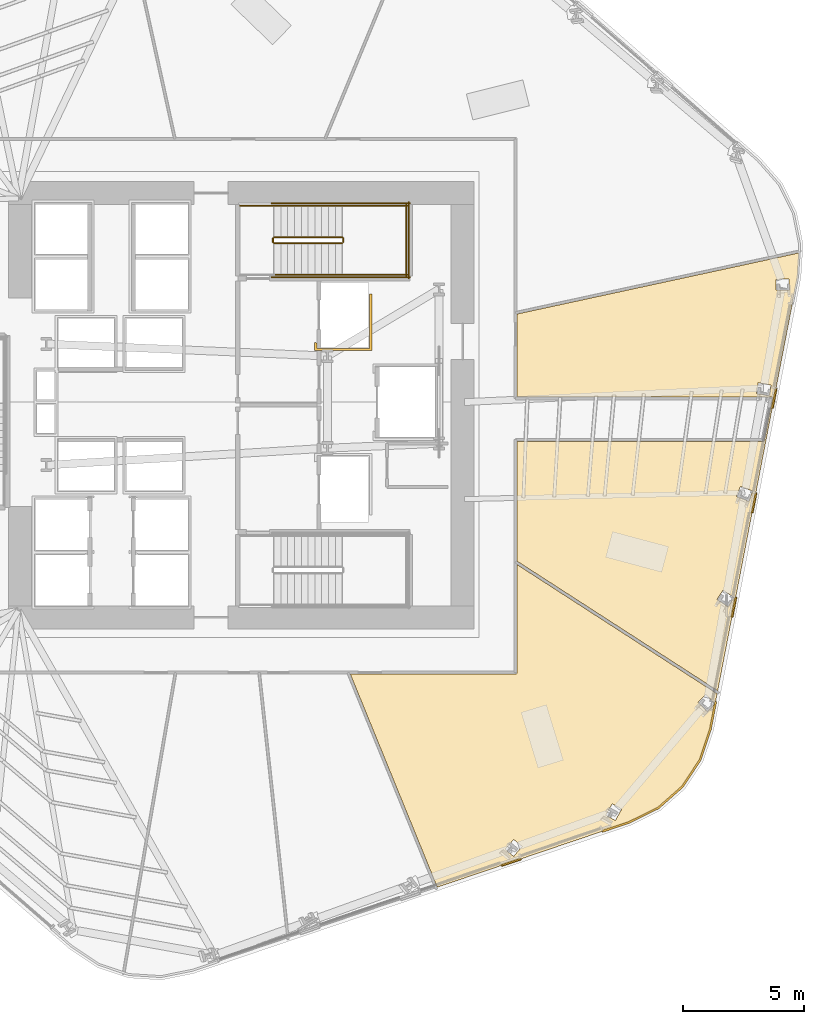
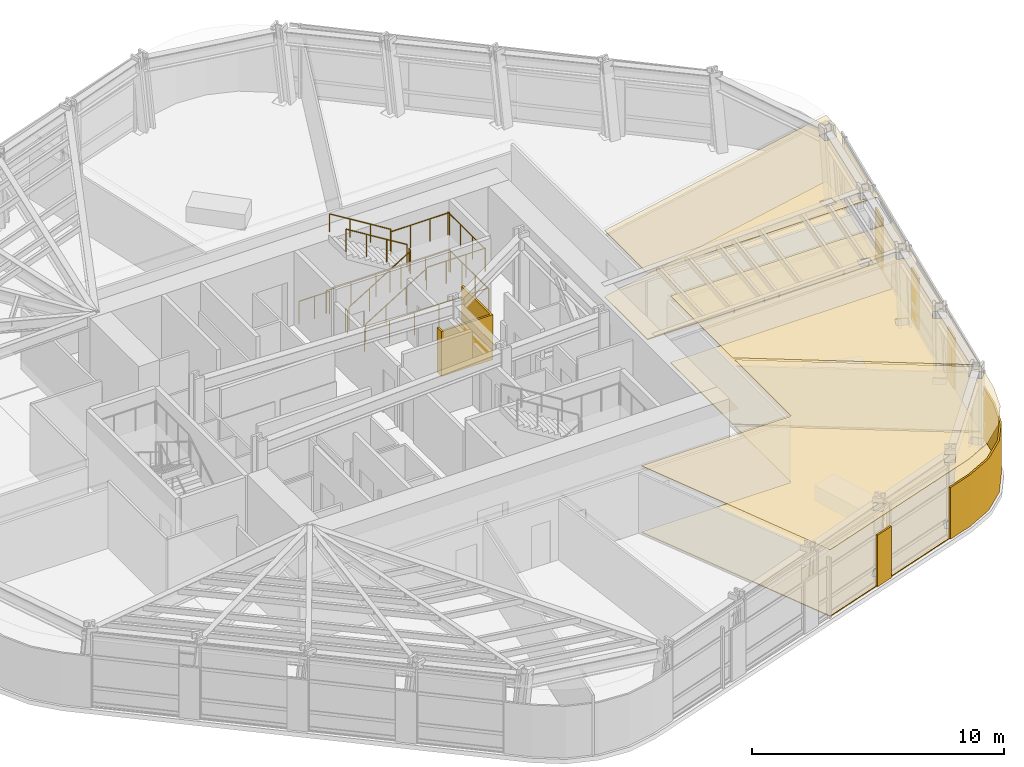
# One storey, part 14 of 16: 13 railings, 10 coverings.
"""IFC4 building model written with IfcOpenShell, lengths in metres."""

from ifc_helpers import new_model, si_unit, direction, frame, origin, origin_2d, place, context, subcontext, project, spatial, polyline, circle, outline, extrude, material, layer, layer_set, type_object, element, save


model = new_model("IFC4")

# Units and contexts
model_context = context("Model", 3, precision=1e-05, world=origin(), true_north=direction((0.0, 1.0)))
body_context = subcontext(model_context, "Body", "Model", "MODEL_VIEW")
ifc_project = project(units=[si_unit("LENGTHUNIT", "METRE"), si_unit("AREAUNIT", "SQUARE_METRE"), si_unit("VOLUMEUNIT", "CUBIC_METRE"), si_unit("PLANEANGLEUNIT", "RADIAN"), si_unit("MASSUNIT", "GRAM", prefix="KILO")], contexts=[model_context])

# Site, building, storey
site_placement = place(None, origin())
site = spatial("IfcSite", under=ifc_project, at=site_placement, CompositionType="ELEMENT")
building_placement = place(site_placement, origin())
building = spatial("IfcBuilding", under=site, at=building_placement, Name="Valkerne Bourse Tower", CompositionType="ELEMENT")
storey_placement = place(building_placement, frame((0.0, 0.0, 104.800048828125)))
storey = spatial("IfcBuildingStorey", under=building, at=storey_placement, Name="L26", CompositionType="ELEMENT", Elevation=104.800048828125)

# Coverings
ifc_material_1 = material(Name="Mineral Fiber Acoustic Ceiling Tile", Category="acoustic")
ifc_layer_1 = layer(ifc_material_1, 0.02490234375)
ifc_layer_set_1 = layer_set([ifc_layer_1], Name="Mineral Fiber Acoustic Ceiling Tile")
covering_type_1 = type_object("IfcCoveringType", Name="COV-CEIL-ACT", PredefinedType="CEILING", material=ifc_layer_set_1)
covering_1_placement = place(storey_placement, frame((0.0, 0.0, 3.22998046875)))
element("IfcCovering", 1, at=covering_1_placement, inside=storey, type_object=covering_type_1, Name="L26 Suspended Ceiling 05", PredefinedType="CEILING", context=body_context, shape_type="SweptSolid", body=[
    extrude(outline(polyline([(63.986328125, 10.271240234375), (62.796142578125, 9.680419921875), (54.875732421875, 6.996826171875), (51.291015625, 15.781005859375), (58.1005859375, 15.781005859375), (58.135986328125, 15.791015625), (58.15966796875, 15.81494140625), (58.1689453125, 15.849609375), (58.1689453125, 20.299072265625), (66.4140625, 14.973388671875), (66.130126953125, 13.50244140625), (65.706298828125, 12.242919921875), (64.97607421875, 11.143798828125), (63.986328125, 10.271240234375)]), holes=[polyline([(58.026123046875, 8.2685546875), (58.370849609375, 8.680419921875), (58.026611328125, 8.9697265625), (58.02392578125, 8.96826171875), (57.67919921875, 8.556396484375), (58.023681640625, 8.266845703125), (58.026123046875, 8.2685546875)]), polyline([(62.21923828125, 9.750244140625), (62.480224609375, 10.21923828125), (62.087890625, 10.439208984375), (62.08544921875, 10.436767578125), (61.82421875, 9.968017578125), (62.216796875, 9.748046875), (62.21923828125, 9.750244140625)]), polyline([(66.32421875, 14.568115234375), (65.938232421875, 14.9443359375), (65.625, 14.623779296875), (65.623046875, 14.62109375), (66.009033203125, 14.2451171875), (66.322265625, 14.5654296875), (66.32421875, 14.568115234375)])]), origin(), (0.0, 0.0, 1.0), 0.02490234375),
])
covering_2_placement = place(storey_placement, frame((0.0, 0.0, 3.22998046875)))
element("IfcCovering", 2, at=covering_2_placement, inside=storey, type_object=covering_type_1, Name="L26 Suspended Ceiling 07", PredefinedType="CEILING", context=body_context, shape_type="SweptSolid", body=[
    extrude(outline(polyline([(58.1689453125, 20.439453125), (58.1689453125, 25.381103515625), (68.30712890625, 25.3818359375), (68.34326171875, 25.3994140625), (68.364013671875, 25.436279296875), (68.69189453125, 27.1376953125), (68.686279296875, 27.18017578125), (68.66015625, 27.208984375), (68.62451171875, 27.218994140625), (68.561279296875, 27.21533203125), (68.52685546875, 27.1875), (68.357177734375, 27.218994140625), (58.1689453125, 27.218994140625), (58.1689453125, 30.63330078125), (69.792724609375, 33.15234375), (69.73095703125, 32.170166015625), (66.43798828125, 15.098388671875), (58.1689453125, 20.439453125)]), holes=[polyline([(67.10888671875, 18.9462890625), (66.6591796875, 19.243408203125), (66.41162109375, 18.86962890625), (66.410400390625, 18.86669921875), (66.860107421875, 18.56982421875), (67.107666015625, 18.943603515625), (67.10888671875, 18.9462890625)]), polyline([(67.87939453125, 23.32861328125), (67.378662109375, 23.52783203125), (67.21240234375, 23.111572265625), (67.211669921875, 23.1083984375), (67.71240234375, 22.9091796875), (67.87890625, 23.325439453125), (67.87939453125, 23.32861328125)]), polyline([(68.635986328125, 27.702880859375), (68.635986328125, 27.705810546875), (68.105224609375, 27.79931640625), (68.027099609375, 27.35791015625), (68.027099609375, 27.354736328125), (68.5576171875, 27.261474609375), (68.635986328125, 27.702880859375)]), polyline([(69.38427734375, 32.068603515625), (69.383544921875, 32.072021484375), (68.8447265625, 32.063720703125), (68.850830078125, 31.61572265625), (68.8515625, 31.612548828125), (69.390380859375, 31.62060546875), (69.38427734375, 32.068603515625)])]), origin(), (0.0, 0.0, 1.0), 0.02490234375),
])
ifc_material_2 = material(Name="Bronze Anodised Aluminium AA 6063-T6", Category="aluminium")
ifc_layer_2 = layer(ifc_material_2, 0.06005859375)
ifc_layer_set_2 = layer_set([ifc_layer_2], Name="Bronze Anodised Aluminium AA 6063-T6")
covering_type_2 = type_object("IfcCoveringType", Name="COV-CRN-ALUM", PredefinedType="CLADDING", material=ifc_layer_set_2)
covering_3_placement = place(storey_placement, origin())
element("IfcCovering", 3, at=covering_3_placement, inside=storey, type_object=covering_type_2, Name="L26 Wind-Shaped Corner Aluminium Cladding 01", PredefinedType="CLADDING", context=body_context, shape_type="SweptSolid", body=[
    extrude(outline(polyline([(65.74609375, 12.223388671875), (65.009521484375, 11.11474609375), (64.010986328125, 10.234375), (62.81298828125, 9.6396484375), (61.695068359375, 9.260986328125), (61.669189453125, 9.336669921875), (62.7822265625, 9.713623046875), (63.966064453125, 10.301513671875), (64.94873046875, 11.167724609375), (65.673828125, 12.259033203125), (66.09521484375, 13.51171875), (66.31787109375, 14.66552734375), (66.396484375, 14.650146484375), (66.1728515625, 13.4912109375), (65.74609375, 12.223388671875)])), origin(), (0.0, 0.0, 1.0), 2.5),
])
covering_4_placement = place(storey_placement, origin())
element("IfcCovering", 4, at=covering_4_placement, inside=storey, type_object=covering_type_2, Name="L26 Wind-Shaped Corner Aluminium Cladding 02", PredefinedType="CLADDING", context=body_context, shape_type="SweptSolid", body=[
    extrude(outline(polyline([(57.5439453125, 7.8544921875), (57.51806640625, 7.93017578125), (58.313720703125, 8.19970703125), (58.339599609375, 8.123779296875), (57.5439453125, 7.8544921875)])), origin(), (0.0, 0.0, 1.0), 2.5),
])
covering_5_placement = place(storey_placement, origin())
element("IfcCovering", 5, at=covering_5_placement, inside=storey, type_object=covering_type_2, Name="L26 Wind-Shaped Corner Aluminium Cladding 22", PredefinedType="CLADDING", context=body_context, shape_type="SweptSolid", body=[
    extrude(outline(polyline([(68.727783203125, 26.736572265625), (68.649169921875, 26.751953125), (68.808349609375, 27.576904296875), (68.88671875, 27.561279296875), (68.727783203125, 26.736572265625)])), origin(), (0.0, 0.0, 1.0), 2.5),
])
covering_6_placement = place(storey_placement, origin())
element("IfcCovering", 6, at=covering_6_placement, inside=storey, type_object=covering_type_2, Name="L26 Wind-Shaped Corner Aluminium Cladding 23", PredefinedType="CLADDING", context=body_context, shape_type="SweptSolid", body=[
    extrude(outline(polyline([(67.897705078125, 22.432861328125), (67.819091796875, 22.4482421875), (67.978271484375, 23.273193359375), (68.056640625, 23.2578125), (67.897705078125, 22.432861328125)])), origin(), (0.0, 0.0, 1.0), 2.5),
])
covering_7_placement = place(storey_placement, origin())
element("IfcCovering", 7, at=covering_7_placement, inside=storey, type_object=covering_type_2, Name="L26 Wind-Shaped Corner Aluminium Cladding 24", PredefinedType="CLADDING", context=body_context, shape_type="SweptSolid", body=[
    extrude(outline(polyline([(67.0673828125, 18.129150390625), (66.989013671875, 18.14453125), (67.14794921875, 18.96923828125), (67.2265625, 18.953857421875), (67.0673828125, 18.129150390625)])), origin(), (0.0, 0.0, 1.0), 2.5),
])
ifc_material_3 = material(Name="Galvanised Painted Steel", Category="steel")
ifc_layer_3 = layer(ifc_material_3, 0.044921875)
ifc_layer_set_3 = layer_set([ifc_layer_3], Name="Galvanised Painted Steel")
covering_type_3 = type_object("IfcCoveringType", Name="COV-FLR-RAF", PredefinedType="FLOORING", material=ifc_layer_set_3)
covering_8_placement = place(storey_placement, origin())
element("IfcCovering", 8, at=covering_8_placement, inside=storey, type_object=covering_type_3, Name="L26 Floor Finish 05", PredefinedType="FLOORING", context=body_context, shape_type="SweptSolid", body=[
    extrude(outline(polyline([(63.986328125, 10.271240234375), (62.796142578125, 9.680419921875), (54.875732421875, 6.996826171875), (51.291015625, 15.781005859375), (58.1005859375, 15.781005859375), (58.135986328125, 15.791015625), (58.15966796875, 15.81494140625), (58.1689453125, 15.849609375), (58.1689453125, 20.299072265625), (66.4140625, 14.973388671875), (66.130126953125, 13.50244140625), (65.706298828125, 12.242919921875), (64.97607421875, 11.143798828125), (63.986328125, 10.271240234375)]), holes=[polyline([(58.026123046875, 8.2685546875), (58.370849609375, 8.680419921875), (58.026611328125, 8.9697265625), (58.02392578125, 8.96826171875), (57.67919921875, 8.556396484375), (58.023681640625, 8.266845703125), (58.026123046875, 8.2685546875)]), polyline([(62.21923828125, 9.750244140625), (62.480224609375, 10.21923828125), (62.087890625, 10.439208984375), (62.08544921875, 10.436767578125), (61.82421875, 9.968017578125), (62.216796875, 9.748046875), (62.21923828125, 9.750244140625)]), polyline([(66.32421875, 14.568115234375), (65.938232421875, 14.9443359375), (65.625, 14.623779296875), (65.623046875, 14.62109375), (66.009033203125, 14.2451171875), (66.322265625, 14.5654296875), (66.32421875, 14.568115234375)])]), origin(), (0.0, 0.0, 1.0), 0.044921875),
])
covering_9_placement = place(storey_placement, origin())
element("IfcCovering", 9, at=covering_9_placement, inside=storey, type_object=covering_type_3, Name="L26 Floor Finish 07", PredefinedType="FLOORING", context=body_context, shape_type="SweptSolid", body=[
    extrude(outline(polyline([(58.1689453125, 20.439453125), (58.1689453125, 25.381103515625), (68.30712890625, 25.3818359375), (68.34326171875, 25.3994140625), (68.364013671875, 25.436279296875), (68.69189453125, 27.1376953125), (68.686279296875, 27.18017578125), (68.66015625, 27.208984375), (68.62451171875, 27.218994140625), (68.561279296875, 27.21533203125), (68.52685546875, 27.1875), (68.357177734375, 27.218994140625), (58.1689453125, 27.218994140625), (58.1689453125, 30.63330078125), (69.792724609375, 33.15234375), (69.73095703125, 32.170166015625), (66.43798828125, 15.098388671875), (58.1689453125, 20.439453125)]), holes=[polyline([(67.10888671875, 18.9462890625), (66.6591796875, 19.243408203125), (66.41162109375, 18.86962890625), (66.410400390625, 18.86669921875), (66.860107421875, 18.56982421875), (67.107666015625, 18.943603515625), (67.10888671875, 18.9462890625)]), polyline([(67.87939453125, 23.32861328125), (67.378662109375, 23.52783203125), (67.21240234375, 23.111572265625), (67.211669921875, 23.1083984375), (67.71240234375, 22.9091796875), (67.87890625, 23.325439453125), (67.87939453125, 23.32861328125)]), polyline([(68.635986328125, 27.702880859375), (68.635986328125, 27.705810546875), (68.105224609375, 27.79931640625), (68.027099609375, 27.35791015625), (68.027099609375, 27.354736328125), (68.5576171875, 27.261474609375), (68.635986328125, 27.702880859375)]), polyline([(69.38427734375, 32.068603515625), (69.383544921875, 32.072021484375), (68.8447265625, 32.063720703125), (68.850830078125, 31.61572265625), (68.8515625, 31.612548828125), (69.390380859375, 31.62060546875), (69.38427734375, 32.068603515625)])]), origin(), (0.0, 0.0, 1.0), 0.044921875),
])
ifc_material_4 = material(Name="Gypsum Shaftwall Liner Board", Category="gypsum")
ifc_layer_4 = layer(ifc_material_4, 0.080078125)
ifc_layer_set_4 = layer_set([ifc_layer_4], Name="Gypsum Shaftwall Liner Board")
covering_type_4 = type_object("IfcCoveringType", Name="COV-SHF-CLAD", PredefinedType="CLADDING", material=ifc_layer_set_4)
covering_10_placement = place(storey_placement, origin())
element("IfcCovering", 10, at=covering_10_placement, inside=storey, type_object=covering_type_4, Name="L26 Hoistway & Riser Shaftwall Liner 10", PredefinedType="CLADDING", context=body_context, shape_type="SweptSolid", body=[
    extrude(outline(polyline([(49.820068359375, 29.1201171875), (49.820068359375, 29.468017578125), (49.827880859375, 29.46435546875), (49.869384765625, 29.449462890625), (49.909912109375, 29.439208984375), (49.909912109375, 29.2099609375), (52.090087890625, 29.2099609375), (52.090087890625, 31.449951171875), (52.179931640625, 31.449951171875), (52.179931640625, 29.1201171875), (49.820068359375, 29.1201171875)])), origin(), (0.0, 0.0, 1.0), 2.179931640625),
])

# Railings
railing_type_1 = type_object("IfcRailingType", Name="RLG-ST-GUARD-1120", PredefinedType="GUARDRAIL", material=ifc_material_3)
railing_1_placement = place(storey_placement, frame((48.14990234375, 33.550048828125, 0.172607421875)))
element("IfcRailing", 11, at=railing_1_placement, inside=storey, type_object=railing_type_1, Name="L26 ST-2 stair guard 1", PredefinedType="GUARDRAIL", context=body_context, shape_type="SweptSolid", body=[
    extrude(circle(Radius=0.02392578125, at=origin_2d()), frame((0.0, 0.0, 1.09619140625), z_axis=(0.851089632645, 0.0, 0.525020415988), x_axis=(0.0, 1.0, 0.0)), (0.0, 0.0, 1.0), 3.2900390625),
    extrude(circle(Radius=0.02099609375, at=origin_2d()), origin(), (0.0, 0.0, 1.0), 1.072021484375),
    extrude(circle(Radius=0.02099609375, at=origin_2d()), frame((0.933349609375, 0.0, 0.57568359375)), (0.0, 0.0, 1.0), 1.072021484375),
    extrude(circle(Radius=0.02099609375, at=origin_2d()), frame((1.86669921875, 0.0, 1.151611328125)), (0.0, 0.0, 1.0), 1.072021484375),
    extrude(circle(Radius=0.02099609375, at=origin_2d()), frame((2.800048828125, 0.0, 1.727294921875)), (0.0, 0.0, 1.0), 1.072021484375),
])
railing_2_placement = place(storey_placement, frame((51.0, 33.60009765625, 1.89990234375)))
element("IfcRailing", 12, at=railing_2_placement, inside=storey, type_object=railing_type_1, Name="L26 ST-2 stair guard 2", PredefinedType="GUARDRAIL", context=body_context, shape_type="SweptSolid", body=[
    extrude(circle(Radius=0.02392578125, at=origin_2d()), frame((0.0, 0.0, 1.09619140625), z_axis=(0.0, 1.0, 0.0), x_axis=(-1.0, 0.0, 0.0)), (0.0, 0.0, 1.0), 0.14990234375),
    extrude(circle(Radius=0.02099609375, at=origin_2d()), origin(), (0.0, 0.0, 1.0), 1.072021484375),
    extrude(circle(Radius=0.02099609375, at=origin_2d()), frame((0.0, 0.14990234375, 0.0)), (0.0, 0.0, 1.0), 1.072021484375),
])
for number, where, name in (
    (13, (50.949951171875, 32.25, 1.89990234375), "L26 ST-2 stair guard 3"),
    (14, (50.949951171875, 35.10009765625, 1.89990234375), "L26 ST-2 stair guard 4"),
):
    element("IfcRailing", number, at=place(storey_placement, frame(where)), inside=storey, type_object=railing_type_1, Name=name, PredefinedType="GUARDRAIL", context=body_context, shape_type="SweptSolid", body=[
        extrude(circle(Radius=0.02392578125, at=origin_2d()), frame((0.0, 0.0, 1.09619140625), z_axis=(1.0, 0.0, 0.0), x_axis=(0.0, 1.0, 0.0)), (0.0, 0.0, 1.0), 2.699951171875),
        extrude(circle(Radius=0.02099609375, at=origin_2d()), origin(), (0.0, 0.0, 1.0), 1.072021484375),
        extrude(circle(Radius=0.02099609375, at=origin_2d()), frame((0.89990234375, 0.0, 0.0)), (0.0, 0.0, 1.0), 1.072021484375),
        extrude(circle(Radius=0.02099609375, at=origin_2d()), frame((1.800048828125, 0.0, 0.0)), (0.0, 0.0, 1.0), 1.072021484375),
        extrude(circle(Radius=0.02099609375, at=origin_2d()), frame((2.699951171875, 0.0, 0.0)), (0.0, 0.0, 1.0), 1.072021484375),
    ])
railing_3_placement = place(storey_placement, frame((53.60009765625, 32.199951171875, 1.89990234375)))
element("IfcRailing", 15, at=railing_3_placement, inside=storey, type_object=railing_type_1, Name="L26 ST-2 stair guard 5", PredefinedType="GUARDRAIL", context=body_context, shape_type="SweptSolid", body=[
    extrude(circle(Radius=0.02392578125, at=origin_2d()), frame((0.0, 0.0, 1.09619140625), z_axis=(0.0, 1.0, 0.0), x_axis=(-1.0, 0.0, 0.0)), (0.0, 0.0, 1.0), 2.949951171875),
    extrude(circle(Radius=0.02099609375, at=origin_2d()), origin(), (0.0, 0.0, 1.0), 1.072021484375),
    extrude(circle(Radius=0.02099609375, at=origin_2d()), frame((0.0, 0.9833984375, 0.0)), (0.0, 0.0, 1.0), 1.072021484375),
    extrude(circle(Radius=0.02099609375, at=origin_2d()), frame((0.0, 1.966552734375, 0.0)), (0.0, 0.0, 1.0), 1.072021484375),
    extrude(circle(Radius=0.02099609375, at=origin_2d()), frame((0.0, 2.949951171875, 0.0)), (0.0, 0.0, 1.0), 1.072021484375),
])
railing_4_placement = place(storey_placement, frame((50.949951171875, 33.800048828125, 2.07275390625)))
element("IfcRailing", 16, at=railing_4_placement, inside=storey, type_object=railing_type_1, Name="L26 ST-2 stair guard 6", PredefinedType="GUARDRAIL", context=body_context, shape_type="SweptSolid", body=[
    extrude(circle(Radius=0.02392578125, at=origin_2d()), frame((0.0, 0.0, 1.09619140625), z_axis=(-0.851089632645, 0.0, 0.525020415988), x_axis=(0.0, -1.0, 0.0)), (0.0, 0.0, 1.0), 3.2900390625),
    extrude(circle(Radius=0.02099609375, at=origin_2d()), origin(), (0.0, 0.0, 1.0), 1.072021484375),
    extrude(circle(Radius=0.02099609375, at=origin_2d()), frame((-0.933349609375, 0.0, 0.57568359375)), (0.0, 0.0, 1.0), 1.072021484375),
    extrude(circle(Radius=0.02099609375, at=origin_2d()), frame((-1.86669921875, 0.0, 1.151611328125)), (0.0, 0.0, 1.0), 1.072021484375),
    extrude(circle(Radius=0.02099609375, at=origin_2d()), frame((-2.800048828125, 0.0, 1.727294921875)), (0.0, 0.0, 1.0), 1.072021484375),
])
railing_5_placement = place(storey_placement, frame((48.10009765625, 33.60009765625, 0.0)))
element("IfcRailing", 17, at=railing_5_placement, inside=storey, type_object=railing_type_1, Name="L26 ST-2 stair guard 7", PredefinedType="GUARDRAIL", context=body_context, shape_type="SweptSolid", body=[
    extrude(circle(Radius=0.02392578125, at=origin_2d()), frame((0.0, 0.0, 1.09619140625), z_axis=(0.0, 1.0, 0.0), x_axis=(-1.0, 0.0, 0.0)), (0.0, 0.0, 1.0), 0.14990234375),
    extrude(circle(Radius=0.02099609375, at=origin_2d()), origin(), (0.0, 0.0, 1.0), 1.072021484375),
    extrude(circle(Radius=0.02099609375, at=origin_2d()), frame((0.0, 0.14990234375, 0.0)), (0.0, 0.0, 1.0), 1.072021484375),
])
railing_6_placement = place(storey_placement, frame((46.75, 35.10009765625, 0.0)))
element("IfcRailing", 18, at=railing_6_placement, inside=storey, type_object=railing_type_1, Name="L26 ST-2 stair guard 9", PredefinedType="GUARDRAIL", context=body_context, shape_type="SweptSolid", body=[
    extrude(circle(Radius=0.02392578125, at=origin_2d()), frame((0.0, 0.0, 1.09619140625), z_axis=(1.0, 0.0, 0.0), x_axis=(0.0, 1.0, 0.0)), (0.0, 0.0, 1.0), 1.39990234375),
    extrude(circle(Radius=0.02099609375, at=origin_2d()), origin(), (0.0, 0.0, 1.0), 1.072021484375),
    extrude(circle(Radius=0.02099609375, at=origin_2d()), frame((0.699951171875, 0.0, 0.0)), (0.0, 0.0, 1.0), 1.072021484375),
    extrude(circle(Radius=0.02099609375, at=origin_2d()), frame((1.39990234375, 0.0, 0.0)), (0.0, 0.0, 1.0), 1.072021484375),
])
for number, where, name in (
    (19, (48.050048828125, 32.14990234375, 0.0), "L26 ST-2 stair guard 10"),
    (20, (48.050048828125, 35.199951171875, 0.0), "L26 ST-2 stair guard 11"),
):
    element("IfcRailing", number, at=place(storey_placement, frame(where)), inside=storey, type_object=railing_type_1, Name=name, PredefinedType="GUARDRAIL", context=body_context, shape_type="SweptSolid", body=[
        extrude(circle(Radius=0.02392578125, at=origin_2d()), frame((0.0, 0.0, 1.09619140625), z_axis=(1.0, 0.0, 0.0), x_axis=(0.0, 1.0, 0.0)), (0.0, 0.0, 1.0), 5.699951171875),
        extrude(circle(Radius=0.02099609375, at=origin_2d()), origin(), (0.0, 0.0, 1.0), 1.072021484375),
        extrude(circle(Radius=0.02099609375, at=origin_2d()), frame((1.139892578125, 0.0, 0.0)), (0.0, 0.0, 1.0), 1.072021484375),
        extrude(circle(Radius=0.02099609375, at=origin_2d()), frame((2.280029296875, 0.0, 0.0)), (0.0, 0.0, 1.0), 1.072021484375),
        extrude(circle(Radius=0.02099609375, at=origin_2d()), frame((3.419921875, 0.0, 0.0)), (0.0, 0.0, 1.0), 1.072021484375),
        extrude(circle(Radius=0.02099609375, at=origin_2d()), frame((4.56005859375, 0.0, 0.0)), (0.0, 0.0, 1.0), 1.072021484375),
        extrude(circle(Radius=0.02099609375, at=origin_2d()), frame((5.699951171875, 0.0, 0.0)), (0.0, 0.0, 1.0), 1.072021484375),
    ])
railing_7_placement = place(storey_placement, frame((53.699951171875, 32.10009765625, 0.0)))
element("IfcRailing", 21, at=railing_7_placement, inside=storey, type_object=railing_type_1, Name="L26 ST-2 stair guard 12", PredefinedType="GUARDRAIL", context=body_context, shape_type="SweptSolid", body=[
    extrude(circle(Radius=0.02392578125, at=origin_2d()), frame((0.0, 0.0, 1.09619140625), z_axis=(0.0, 1.0, 0.0), x_axis=(-1.0, 0.0, 0.0)), (0.0, 0.0, 1.0), 3.14990234375),
    extrude(circle(Radius=0.02099609375, at=origin_2d()), origin(), (0.0, 0.0, 1.0), 1.072021484375),
    extrude(circle(Radius=0.02099609375, at=origin_2d()), frame((0.0, 1.050048828125, 0.0)), (0.0, 0.0, 1.0), 1.072021484375),
    extrude(circle(Radius=0.02099609375, at=origin_2d()), frame((0.0, 2.099853515625, 0.0)), (0.0, 0.0, 1.0), 1.072021484375),
    extrude(circle(Radius=0.02099609375, at=origin_2d()), frame((0.0, 3.14990234375, 0.0)), (0.0, 0.0, 1.0), 1.072021484375),
])
ifc_material_5 = material(Name="Stainless Steel AISI 316", Category="steel")
railing_type_2 = type_object("IfcRailingType", Name="RLG-ST-HANDRAIL-900", PredefinedType="HANDRAIL", material=ifc_material_5)
railing_8_placement = place(storey_placement, frame((48.14990234375, 32.25, 0.345458984375)))
element("IfcRailing", 22, at=railing_8_placement, inside=storey, type_object=railing_type_2, Name="L26 ST-2 stair handrail 1", PredefinedType="HANDRAIL", context=body_context, shape_type="SweptSolid", body=[
    extrude(circle(Radius=0.02392578125, at=origin_2d()), frame((0.0, 0.0, 0.8759765625), z_axis=(0.851089632645, 0.0, 0.525020415988), x_axis=(0.0, 1.0, 0.0)), (0.0, 0.0, 1.0), 3.2900390625),
    extrude(circle(Radius=0.02099609375, at=origin_2d()), origin(), (0.0, 0.0, 1.0), 0.851806640625),
    extrude(circle(Radius=0.02099609375, at=origin_2d()), frame((0.933349609375, 0.0, 0.57568359375)), (0.0, 0.0, 1.0), 0.851806640625),
    extrude(circle(Radius=0.02099609375, at=origin_2d()), frame((1.86669921875, 0.0, 1.151611328125)), (0.0, 0.0, 1.0), 0.851806640625),
    extrude(circle(Radius=0.02099609375, at=origin_2d()), frame((2.800048828125, 0.0, 1.727294921875)), (0.0, 0.0, 1.0), 0.851806640625),
])
railing_9_placement = place(storey_placement, frame((50.949951171875, 35.10009765625, 2.245361328125)))
element("IfcRailing", 23, at=railing_9_placement, inside=storey, type_object=railing_type_2, Name="L26 ST-2 stair handrail 2", PredefinedType="HANDRAIL", context=body_context, shape_type="SweptSolid", body=[
    extrude(circle(Radius=0.02392578125, at=origin_2d()), frame((0.0, 0.0, 0.8759765625), z_axis=(-0.851089632645, 0.0, 0.525020415988), x_axis=(0.0, -1.0, 0.0)), (0.0, 0.0, 1.0), 3.2900390625),
    extrude(circle(Radius=0.02099609375, at=origin_2d()), origin(), (0.0, 0.0, 1.0), 0.851806640625),
    extrude(circle(Radius=0.02099609375, at=origin_2d()), frame((-0.933349609375, 0.0, 0.57568359375)), (0.0, 0.0, 1.0), 0.851806640625),
    extrude(circle(Radius=0.02099609375, at=origin_2d()), frame((-1.86669921875, 0.0, 1.151611328125)), (0.0, 0.0, 1.0), 0.851806640625),
    extrude(circle(Radius=0.02099609375, at=origin_2d()), frame((-2.800048828125, 0.0, 1.727294921875)), (0.0, 0.0, 1.0), 0.851806640625),
])

save(model, "model.ifc")
